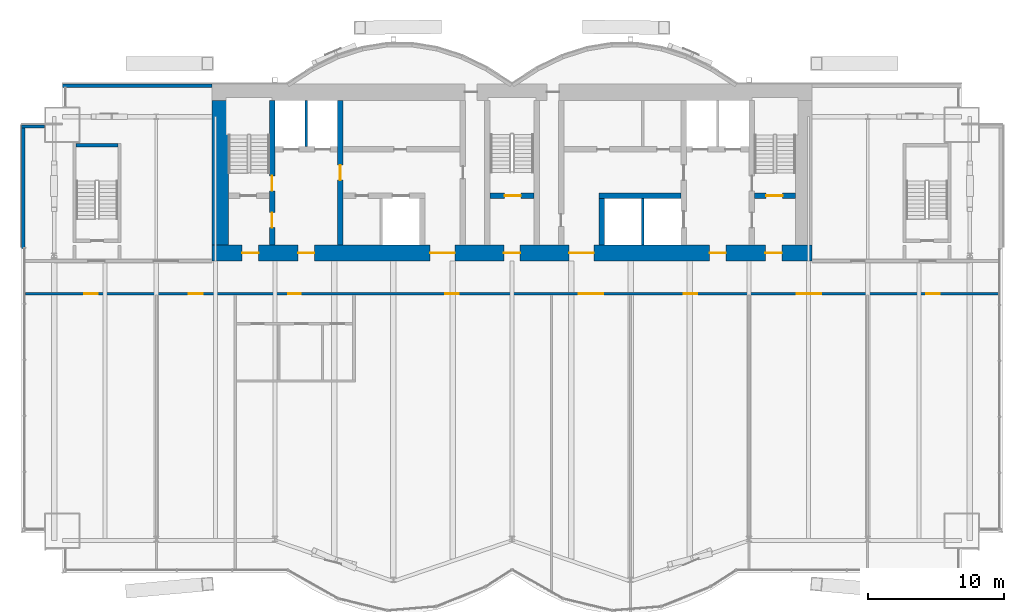
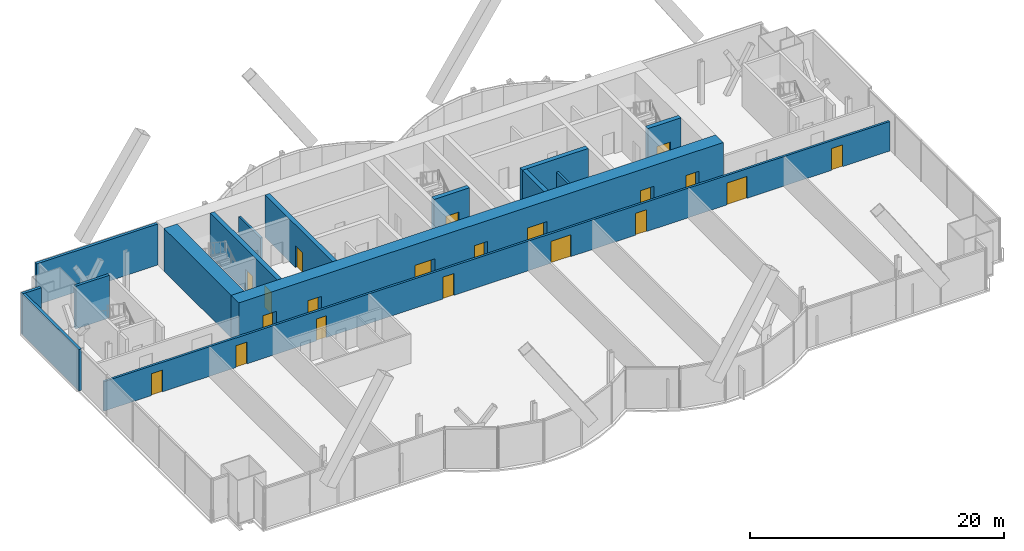
# One storey, part 17 of 22: 20 doors, 15 walls, 20 openings.
"""IFC4 building model written with IfcOpenShell, lengths in metres."""

from ifc_helpers import new_model, si_unit, direction, frame, frame_2d, origin, place, context, subcontext, project, spatial, rectangle, extrude, material, layer, layer_set, layer_usage, type_object, element, fill, save


model = new_model("IFC4")

# Units and contexts
model_context = context("Model", 3, precision=1e-05, world=origin(), true_north=direction((0.0, 1.0)))
body_context = subcontext(model_context, "Body", "Model", "MODEL_VIEW")
ifc_project = project(units=[si_unit("LENGTHUNIT", "METRE"), si_unit("AREAUNIT", "SQUARE_METRE"), si_unit("VOLUMEUNIT", "CUBIC_METRE"), si_unit("PLANEANGLEUNIT", "RADIAN"), si_unit("MASSUNIT", "GRAM", prefix="KILO")], contexts=[model_context])

# Site, building, storey
site_placement = place(None, origin())
site = spatial("IfcSite", under=ifc_project, at=site_placement, CompositionType="ELEMENT")
building_placement = place(site_placement, origin())
building = spatial("IfcBuilding", under=site, at=building_placement, Name="Bicima Exchange Tower", CompositionType="ELEMENT")
storey_placement = place(building_placement, frame((0.0, 0.0, 144.5)))
storey = spatial("IfcBuildingStorey", under=building, at=storey_placement, Name="L31", CompositionType="ELEMENT", Elevation=144.5)

# Walls
ifc_material_1 = material(Name="Gypsum board partition")
ifc_layer_1 = layer(ifc_material_1, 0.199951171875)
ifc_layer_set_1 = layer_set([ifc_layer_1], Name="Gypsum board partition")
wall_type_1 = type_object("IfcWallType", Name="Fire-rated gypsum partition 200 EI120", PredefinedType="PARTITIONING", material=ifc_layer_set_1)
for number, where, z_axis, x_axis, name in (
    (1, (-15.10009765625, -4.60009765625, 0.0), (0.0, 0.0, 1.0), (0.0, 1.0, 0.0), "partition wall 9"),
    (2, (9.60009765625, -11.800048828125, 0.0), (0.0, 0.0, 1.0), (0.0, 1.0, 0.0), "partition wall 18"),
):
    element("IfcWall", number, at=place(storey_placement, frame(where, z_axis=z_axis, x_axis=x_axis)), inside=storey, type_object=wall_type_1, Name=name, PredefinedType="PARTITIONING", context=body_context, shape_type="SweptSolid", body=[
        extrude(rectangle(XDim=3.400146484375, YDim=0.199951171875, at=frame_2d((1.7001953125, 0.0))), origin(), (0.0, 0.0, 1.0), 2.84033203125),
    ])

# Wall, openings, doors
ifc_layer_2 = layer(ifc_material_1, 0.199951171875)
ifc_layer_set_2 = layer_set([ifc_layer_2], Name="Gypsum board partition")
wall_type_2 = type_object("IfcWallType", Name="Fire-rated gypsum partition 200 EI60", PredefinedType="PARTITIONING", material=ifc_layer_set_2)
wall_1_placement = place(storey_placement, frame((-35.679931640625, -15.39990234375, 0.0), z_axis=(0.0, 0.0, 1.0), x_axis=(1.0, 0.0, 0.0)))
wall_1 = element("IfcWall", 3, at=wall_1_placement, inside=storey, type_object=wall_type_2, Name="partition wall 3", PredefinedType="PARTITIONING", context=body_context, shape_type="SweptSolid", body=[
    extrude(rectangle(XDim=71.35986328125, YDim=0.199951171875, at=frame_2d((35.679931640625, 0.0))), origin(), (0.0, 0.0, 1.0), 2.84033203125),
])
opening_1_placement = place(wall_1_placement, frame((4.300048828125, 0.0, 0.0)))
opening_1 = element("IfcOpeningElement", 4, at=opening_1_placement, cuts=wall_1, Name="Opening L31-007", PredefinedType="OPENING", context=body_context, shape_type="SweptSolid", body=[
    extrude(rectangle(XDim=1.0, YDim=2.10009765625, at=frame_2d((0.5, 1.050048828125))), frame((0.0, 0.11181640625, 0.0), z_axis=(0.0, -1.0, 0.0), x_axis=(1.0, 0.0, 0.0)), (0.0, 0.0, 1.0), 0.223876953125),
])
opening_2_placement = place(wall_1_placement, frame((11.97998046875, 0.0, 0.0)))
opening_2 = element("IfcOpeningElement", 5, at=opening_2_placement, cuts=wall_1, Name="Opening L31-008", PredefinedType="OPENING", context=body_context, shape_type="SweptSolid", body=[
    extrude(rectangle(XDim=1.0, YDim=2.10009765625, at=frame_2d((0.5, 1.050048828125))), frame((0.0, 0.11181640625, 0.0), z_axis=(0.0, -1.0, 0.0), x_axis=(1.0, 0.0, 0.0)), (0.0, 0.0, 1.0), 0.223876953125),
])
opening_3_placement = place(wall_1_placement, frame((19.280029296875, 0.0, 0.0)))
opening_3 = element("IfcOpeningElement", 6, at=opening_3_placement, cuts=wall_1, Name="Opening L31-009", PredefinedType="OPENING", context=body_context, shape_type="SweptSolid", body=[
    extrude(rectangle(XDim=0.89990234375, YDim=2.10009765625, at=frame_2d((0.449951171875, 1.050048828125))), frame((0.0, 0.11181640625, 0.0), z_axis=(0.0, -1.0, 0.0), x_axis=(1.0, 0.0, 0.0)), (0.0, 0.0, 1.0), 0.223876953125),
])
opening_4_placement = place(wall_1_placement, frame((30.780029296875, 0.0, 0.0)))
opening_4 = element("IfcOpeningElement", 7, at=opening_4_placement, cuts=wall_1, Name="Opening L31-013", PredefinedType="OPENING", context=body_context, shape_type="SweptSolid", body=[
    extrude(rectangle(XDim=1.0, YDim=2.10009765625, at=frame_2d((0.5, 1.050048828125))), frame((0.0, 0.11181640625, 0.0), z_axis=(0.0, -1.0, 0.0), x_axis=(1.0, 0.0, 0.0)), (0.0, 0.0, 1.0), 0.223876953125),
])
opening_5_placement = place(wall_1_placement, frame((40.580078125, 0.0, 0.0)))
opening_5 = element("IfcOpeningElement", 8, at=opening_5_placement, cuts=wall_1, Name="Opening L31-014", PredefinedType="OPENING", context=body_context, shape_type="SweptSolid", body=[
    extrude(rectangle(XDim=1.800048828125, YDim=2.10009765625, at=frame_2d((0.89990234375, 1.050048828125))), frame((0.0, 0.11181640625, 0.0), z_axis=(0.0, -1.0, 0.0), x_axis=(1.0, 0.0, 0.0)), (0.0, 0.0, 1.0), 0.223876953125),
])
opening_6_placement = place(wall_1_placement, frame((48.280029296875, 0.0, 0.0)))
opening_6 = element("IfcOpeningElement", 9, at=opening_6_placement, cuts=wall_1, Name="Opening L31-015", PredefinedType="OPENING", context=body_context, shape_type="SweptSolid", body=[
    extrude(rectangle(XDim=1.0, YDim=2.10009765625, at=frame_2d((0.5, 1.050048828125))), frame((0.0, 0.11181640625, 0.0), z_axis=(0.0, -1.0, 0.0), x_axis=(1.0, 0.0, 0.0)), (0.0, 0.0, 1.0), 0.223876953125),
])
opening_7_placement = place(wall_1_placement, frame((56.580078125, 0.0, 0.0)))
opening_7 = element("IfcOpeningElement", 10, at=opening_7_placement, cuts=wall_1, Name="Opening L31-016", PredefinedType="OPENING", context=body_context, shape_type="SweptSolid", body=[
    extrude(rectangle(XDim=1.800048828125, YDim=2.10009765625, at=frame_2d((0.89990234375, 1.050048828125))), frame((0.0, 0.11181640625, 0.0), z_axis=(0.0, -1.0, 0.0), x_axis=(1.0, 0.0, 0.0)), (0.0, 0.0, 1.0), 0.223876953125),
])
opening_8_placement = place(wall_1_placement, frame((66.080078125, 0.0, 0.0)))
opening_8 = element("IfcOpeningElement", 11, at=opening_8_placement, cuts=wall_1, Name="Opening L31-017", PredefinedType="OPENING", context=body_context, shape_type="SweptSolid", body=[
    extrude(rectangle(XDim=1.0, YDim=2.10009765625, at=frame_2d((0.5, 1.050048828125))), frame((0.0, 0.11181640625, 0.0), z_axis=(0.0, -1.0, 0.0), x_axis=(1.0, 0.0, 0.0)), (0.0, 0.0, 1.0), 0.223876953125),
])
ifc_material_2 = material(Name="Steel fire door leaf", Category="steel")
door_type_1 = type_object("IfcDoorType", Name="Door 1000 swing FD30S", OperationType="SINGLE_SWING_LEFT", PredefinedType="DOOR", material=ifc_material_2)
door_1_placement = place(opening_1_placement, frame((1.0, 0.0, 0.0), z_axis=(0.0, 0.0, 1.0), x_axis=(-1.0, 0.0, 0.0)))
door_1 = element("IfcDoor", 12, at=door_1_placement, inside=storey, type_object=door_type_1, Name="Door", OperationType="SINGLE_SWING_LEFT", OverallHeight=2.10009765625, OverallWidth=1.0, PredefinedType="DOOR", context=body_context, shape_type="SweptSolid", body=[
    extrude(rectangle(XDim=1.0, YDim=2.10009765625, at=frame_2d((0.5, 1.050048828125))), frame((0.0, 0.02490234375, 0.0), z_axis=(0.0, -1.0, 0.0), x_axis=(1.0, 0.0, 0.0)), (0.0, 0.0, 1.0), 0.050048828125),
])
fill(opening_1, door_1)
door_2_placement = place(opening_2_placement, frame((1.0, 0.0, 0.0), z_axis=(0.0, 0.0, 1.0), x_axis=(-1.0, 0.0, 0.0)))
door_2 = element("IfcDoor", 13, at=door_2_placement, inside=storey, type_object=door_type_1, Name="Door", OperationType="SINGLE_SWING_RIGHT", OverallHeight=2.10009765625, OverallWidth=1.0, PredefinedType="DOOR", context=body_context, shape_type="SweptSolid", body=[
    extrude(rectangle(XDim=1.0, YDim=2.10009765625, at=frame_2d((0.5, 1.050048828125))), frame((0.0, 0.02490234375, 0.0), z_axis=(0.0, -1.0, 0.0), x_axis=(1.0, 0.0, 0.0)), (0.0, 0.0, 1.0), 0.050048828125),
])
fill(opening_2, door_2)
door_3_placement = place(opening_4_placement, frame((1.0, 0.0, 0.0), z_axis=(0.0, 0.0, 1.0), x_axis=(-1.0, 0.0, 0.0)))
door_3 = element("IfcDoor", 14, at=door_3_placement, inside=storey, type_object=door_type_1, Name="Door", OperationType="SINGLE_SWING_LEFT", OverallHeight=2.10009765625, OverallWidth=1.0, PredefinedType="DOOR", context=body_context, shape_type="SweptSolid", body=[
    extrude(rectangle(XDim=1.0, YDim=2.10009765625, at=frame_2d((0.5, 1.050048828125))), frame((0.0, 0.02490234375, 0.0), z_axis=(0.0, -1.0, 0.0), x_axis=(1.0, 0.0, 0.0)), (0.0, 0.0, 1.0), 0.050048828125),
])
fill(opening_4, door_3)
door_4_placement = place(opening_6_placement, frame((1.0, 0.0, 0.0), z_axis=(0.0, 0.0, 1.0), x_axis=(-1.0, 0.0, 0.0)))
door_4 = element("IfcDoor", 15, at=door_4_placement, inside=storey, type_object=door_type_1, Name="Door", OperationType="SINGLE_SWING_RIGHT", OverallHeight=2.10009765625, OverallWidth=1.0, PredefinedType="DOOR", context=body_context, shape_type="SweptSolid", body=[
    extrude(rectangle(XDim=1.0, YDim=2.10009765625, at=frame_2d((0.5, 1.050048828125))), frame((0.0, 0.02490234375, 0.0), z_axis=(0.0, -1.0, 0.0), x_axis=(1.0, 0.0, 0.0)), (0.0, 0.0, 1.0), 0.050048828125),
])
fill(opening_6, door_4)
door_5_placement = place(opening_8_placement, frame((1.0, 0.0, 0.0), z_axis=(0.0, 0.0, 1.0), x_axis=(-1.0, 0.0, 0.0)))
door_5 = element("IfcDoor", 16, at=door_5_placement, inside=storey, type_object=door_type_1, Name="Door", OperationType="SINGLE_SWING_RIGHT", OverallHeight=2.10009765625, OverallWidth=1.0, PredefinedType="DOOR", context=body_context, shape_type="SweptSolid", body=[
    extrude(rectangle(XDim=1.0, YDim=2.10009765625, at=frame_2d((0.5, 1.050048828125))), frame((0.0, 0.02490234375, 0.0), z_axis=(0.0, -1.0, 0.0), x_axis=(1.0, 0.0, 0.0)), (0.0, 0.0, 1.0), 0.050048828125),
])
fill(opening_8, door_5)
door_type_2 = type_object("IfcDoorType", Name="Door 1800 double swing FD30S", OperationType="DOUBLE_DOOR_SINGLE_SWING", PredefinedType="DOOR", material=ifc_material_2)
door_6_placement = place(opening_5_placement, origin())
door_6 = element("IfcDoor", 17, at=door_6_placement, inside=storey, type_object=door_type_2, Name="Door", OperationType="SINGLE_SWING_LEFT", OverallHeight=2.10009765625, OverallWidth=1.800048828125, PredefinedType="DOOR", context=body_context, shape_type="SweptSolid", body=[
    extrude(rectangle(XDim=1.800048828125, YDim=2.10009765625, at=frame_2d((0.89990234375, 1.050048828125))), frame((0.0, 0.02490234375, 0.0), z_axis=(0.0, -1.0, 0.0), x_axis=(1.0, 0.0, 0.0)), (0.0, 0.0, 1.0), 0.050048828125),
])
fill(opening_5, door_6)
door_7_placement = place(opening_7_placement, origin())
door_7 = element("IfcDoor", 18, at=door_7_placement, inside=storey, type_object=door_type_2, Name="Door", OperationType="SINGLE_SWING_LEFT", OverallHeight=2.10009765625, OverallWidth=1.800048828125, PredefinedType="DOOR", context=body_context, shape_type="SweptSolid", body=[
    extrude(rectangle(XDim=1.800048828125, YDim=2.10009765625, at=frame_2d((0.89990234375, 1.050048828125))), frame((0.0, 0.02490234375, 0.0), z_axis=(0.0, -1.0, 0.0), x_axis=(1.0, 0.0, 0.0)), (0.0, 0.0, 1.0), 0.050048828125),
])
fill(opening_7, door_7)
door_type_3 = type_object("IfcDoorType", Name="Door 900 swing FD30S", OperationType="SINGLE_SWING_LEFT", PredefinedType="DOOR", material=ifc_material_2)
door_8_placement = place(opening_3_placement, frame((0.89990234375, 0.0, 0.0), z_axis=(0.0, 0.0, 1.0), x_axis=(-1.0, 0.0, 0.0)))
door_8 = element("IfcDoor", 19, at=door_8_placement, inside=storey, type_object=door_type_3, Name="Door", OperationType="SINGLE_SWING_RIGHT", OverallHeight=2.10009765625, OverallWidth=0.89990234375, PredefinedType="DOOR", context=body_context, shape_type="SweptSolid", body=[
    extrude(rectangle(XDim=0.89990234375, YDim=2.10009765625, at=frame_2d((0.449951171875, 1.050048828125))), frame((0.0, 0.02490234375, 0.0), z_axis=(0.0, -1.0, 0.0), x_axis=(1.0, 0.0, 0.0)), (0.0, 0.0, 1.0), 0.050048828125),
])
fill(opening_3, door_8)

ifc_material_3 = material(Name="Concrete C50/60", Category="concrete")
ifc_layer_3 = layer(ifc_material_3, 1.199951171875)
ifc_layer_set_3 = layer_set([ifc_layer_3], Name="Concrete C50/60")
wall_type_3 = type_object("IfcWallType", Name="RC core wall 1200 C50/60", PredefinedType="SHEAR", material=ifc_layer_set_3)
wall_2_placement = place(storey_placement, frame((-22.0, -12.39990234375, 0.0), z_axis=(0.0, 0.0, 1.0), x_axis=(1.0, 0.0, 0.0)))
wall_2 = element("IfcWall", 20, at=wall_2_placement, inside=storey, type_object=wall_type_3, Name="Core wall south", PredefinedType="SHEAR", context=body_context, shape_type="SweptSolid", body=[
    extrude(rectangle(XDim=44.0, YDim=1.199951171875, at=frame_2d((22.0, 0.0))), origin(), (0.0, 0.0, 1.0), 4.10009765625),
])
opening_9_placement = place(wall_2_placement, frame((2.199951171875, 0.0, 0.0)))
opening_9 = element("IfcOpeningElement", 21, at=opening_9_placement, cuts=wall_2, Name="Opening L31-C18", PredefinedType="OPENING", context=body_context, shape_type="SweptSolid", body=[
    extrude(rectangle(XDim=1.199951171875, YDim=2.10009765625, at=frame_2d((0.60009765625, 1.050048828125))), frame((0.0, 0.61181640625, 0.0), z_axis=(0.0, -1.0, 0.0), x_axis=(1.0, 0.0, 0.0)), (0.0, 0.0, 1.0), 1.223876953125),
])
opening_10_placement = place(wall_2_placement, frame((21.39990234375, 0.0, 0.0)))
opening_10 = element("IfcOpeningElement", 22, at=opening_10_placement, cuts=wall_2, Name="Opening L31-C19", PredefinedType="OPENING", context=body_context, shape_type="SweptSolid", body=[
    extrude(rectangle(XDim=1.199951171875, YDim=2.10009765625, at=frame_2d((0.60009765625, 1.050048828125))), frame((0.0, 0.61181640625, 0.0), z_axis=(0.0, -1.0, 0.0), x_axis=(1.0, 0.0, 0.0)), (0.0, 0.0, 1.0), 1.223876953125),
])
opening_11_placement = place(wall_2_placement, frame((40.60009765625, 0.0, 0.0)))
opening_11 = element("IfcOpeningElement", 23, at=opening_11_placement, cuts=wall_2, Name="Opening L31-C20", PredefinedType="OPENING", context=body_context, shape_type="SweptSolid", body=[
    extrude(rectangle(XDim=1.199951171875, YDim=2.10009765625, at=frame_2d((0.60009765625, 1.050048828125))), frame((0.0, 0.61181640625, 0.0), z_axis=(0.0, -1.0, 0.0), x_axis=(1.0, 0.0, 0.0)), (0.0, 0.0, 1.0), 1.223876953125),
])
opening_12_placement = place(wall_2_placement, frame((16.0, 0.0, 0.0)))
opening_12 = element("IfcOpeningElement", 24, at=opening_12_placement, cuts=wall_2, Name="Opening L31-C21", PredefinedType="OPENING", context=body_context, shape_type="SweptSolid", body=[
    extrude(rectangle(XDim=1.800048828125, YDim=2.10009765625, at=frame_2d((0.89990234375, 1.050048828125))), frame((0.0, 0.61181640625, 0.0), z_axis=(0.0, -1.0, 0.0), x_axis=(1.0, 0.0, 0.0)), (0.0, 0.0, 1.0), 1.223876953125),
])
opening_13_placement = place(wall_2_placement, frame((6.300048828125, 0.0, 0.0)))
opening_13 = element("IfcOpeningElement", 25, at=opening_13_placement, cuts=wall_2, Name="Opening L31-C22", PredefinedType="OPENING", context=body_context, shape_type="SweptSolid", body=[
    extrude(rectangle(XDim=1.199951171875, YDim=2.10009765625, at=frame_2d((0.60009765625, 1.050048828125))), frame((0.0, 0.61181640625, 0.0), z_axis=(0.0, -1.0, 0.0), x_axis=(1.0, 0.0, 0.0)), (0.0, 0.0, 1.0), 1.223876953125),
])
opening_14_placement = place(wall_2_placement, frame((26.199951171875, 0.0, 0.0)))
opening_14 = element("IfcOpeningElement", 26, at=opening_14_placement, cuts=wall_2, Name="Opening L31-C23", PredefinedType="OPENING", context=body_context, shape_type="SweptSolid", body=[
    extrude(rectangle(XDim=1.800048828125, YDim=2.10009765625, at=frame_2d((0.89990234375, 1.050048828125))), frame((0.0, 0.61181640625, 0.0), z_axis=(0.0, -1.0, 0.0), x_axis=(1.0, 0.0, 0.0)), (0.0, 0.0, 1.0), 1.223876953125),
])
opening_15_placement = place(wall_2_placement, frame((36.5, 0.0, 0.0)))
opening_15 = element("IfcOpeningElement", 27, at=opening_15_placement, cuts=wall_2, Name="Opening L31-C24", PredefinedType="OPENING", context=body_context, shape_type="SweptSolid", body=[
    extrude(rectangle(XDim=1.199951171875, YDim=2.10009765625, at=frame_2d((0.60009765625, 1.050048828125))), frame((0.0, 0.61181640625, 0.0), z_axis=(0.0, -1.0, 0.0), x_axis=(1.0, 0.0, 0.0)), (0.0, 0.0, 1.0), 1.223876953125),
])
door_type_4 = type_object("IfcDoorType", Name="Door 1200 swing FD60S", OperationType="SINGLE_SWING_LEFT", PredefinedType="DOOR", material=ifc_material_2)
door_9_placement = place(opening_9_placement, frame((1.199951171875, 0.0, 0.0), z_axis=(0.0, 0.0, 1.0), x_axis=(-1.0, 0.0, 0.0)))
door_9 = element("IfcDoor", 28, at=door_9_placement, inside=storey, type_object=door_type_4, Name="Core door", OperationType="SINGLE_SWING_RIGHT", OverallHeight=2.10009765625, OverallWidth=1.199951171875, PredefinedType="DOOR", context=body_context, shape_type="SweptSolid", body=[
    extrude(rectangle(XDim=1.199951171875, YDim=2.10009765625, at=frame_2d((0.60009765625, 1.050048828125))), frame((0.0, 0.02490234375, 0.0), z_axis=(0.0, -1.0, 0.0), x_axis=(1.0, 0.0, 0.0)), (0.0, 0.0, 1.0), 0.050048828125),
])
fill(opening_9, door_9)
door_10_placement = place(opening_10_placement, frame((1.199951171875, 0.0, 0.0), z_axis=(0.0, 0.0, 1.0), x_axis=(-1.0, 0.0, 0.0)))
door_10 = element("IfcDoor", 29, at=door_10_placement, inside=storey, type_object=door_type_4, Name="Core door", OperationType="SINGLE_SWING_RIGHT", OverallHeight=2.10009765625, OverallWidth=1.199951171875, PredefinedType="DOOR", context=body_context, shape_type="SweptSolid", body=[
    extrude(rectangle(XDim=1.199951171875, YDim=2.10009765625, at=frame_2d((0.60009765625, 1.050048828125))), frame((0.0, 0.02490234375, 0.0), z_axis=(0.0, -1.0, 0.0), x_axis=(1.0, 0.0, 0.0)), (0.0, 0.0, 1.0), 0.050048828125),
])
fill(opening_10, door_10)
door_11_placement = place(opening_11_placement, frame((1.199951171875, 0.0, 0.0), z_axis=(0.0, 0.0, 1.0), x_axis=(-1.0, 0.0, 0.0)))
door_11 = element("IfcDoor", 30, at=door_11_placement, inside=storey, type_object=door_type_4, Name="Core door", OperationType="SINGLE_SWING_RIGHT", OverallHeight=2.10009765625, OverallWidth=1.199951171875, PredefinedType="DOOR", context=body_context, shape_type="SweptSolid", body=[
    extrude(rectangle(XDim=1.199951171875, YDim=2.10009765625, at=frame_2d((0.60009765625, 1.050048828125))), frame((0.0, 0.02490234375, 0.0), z_axis=(0.0, -1.0, 0.0), x_axis=(1.0, 0.0, 0.0)), (0.0, 0.0, 1.0), 0.050048828125),
])
fill(opening_11, door_11)
door_12_placement = place(opening_13_placement, frame((1.199951171875, 0.0, 0.0), z_axis=(0.0, 0.0, 1.0), x_axis=(-1.0, 0.0, 0.0)))
door_12 = element("IfcDoor", 31, at=door_12_placement, inside=storey, type_object=door_type_4, Name="Core door", OperationType="SINGLE_SWING_RIGHT", OverallHeight=2.10009765625, OverallWidth=1.199951171875, PredefinedType="DOOR", context=body_context, shape_type="SweptSolid", body=[
    extrude(rectangle(XDim=1.199951171875, YDim=2.10009765625, at=frame_2d((0.60009765625, 1.050048828125))), frame((0.0, 0.02490234375, 0.0), z_axis=(0.0, -1.0, 0.0), x_axis=(1.0, 0.0, 0.0)), (0.0, 0.0, 1.0), 0.050048828125),
])
fill(opening_13, door_12)
door_13_placement = place(opening_15_placement, frame((1.199951171875, 0.0, 0.0), z_axis=(0.0, 0.0, 1.0), x_axis=(-1.0, 0.0, 0.0)))
door_13 = element("IfcDoor", 32, at=door_13_placement, inside=storey, type_object=door_type_4, Name="Core door", OperationType="SINGLE_SWING_RIGHT", OverallHeight=2.10009765625, OverallWidth=1.199951171875, PredefinedType="DOOR", context=body_context, shape_type="SweptSolid", body=[
    extrude(rectangle(XDim=1.199951171875, YDim=2.10009765625, at=frame_2d((0.60009765625, 1.050048828125))), frame((0.0, 0.02490234375, 0.0), z_axis=(0.0, -1.0, 0.0), x_axis=(1.0, 0.0, 0.0)), (0.0, 0.0, 1.0), 0.050048828125),
])
fill(opening_15, door_13)
door_14_placement = place(opening_12_placement, origin())
door_14 = element("IfcDoor", 33, at=door_14_placement, inside=storey, type_object=door_type_2, Name="Core door", OperationType="SINGLE_SWING_LEFT", OverallHeight=2.10009765625, OverallWidth=1.800048828125, PredefinedType="DOOR", context=body_context, shape_type="SweptSolid", body=[
    extrude(rectangle(XDim=1.800048828125, YDim=2.10009765625, at=frame_2d((0.89990234375, 1.050048828125))), frame((0.0, 0.02490234375, 0.0), z_axis=(0.0, -1.0, 0.0), x_axis=(1.0, 0.0, 0.0)), (0.0, 0.0, 1.0), 0.050048828125),
])
fill(opening_12, door_14)
door_15_placement = place(opening_14_placement, origin())
door_15 = element("IfcDoor", 34, at=door_15_placement, inside=storey, type_object=door_type_2, Name="Core door", OperationType="SINGLE_SWING_LEFT", OverallHeight=2.10009765625, OverallWidth=1.800048828125, PredefinedType="DOOR", context=body_context, shape_type="SweptSolid", body=[
    extrude(rectangle(XDim=1.800048828125, YDim=2.10009765625, at=frame_2d((0.89990234375, 1.050048828125))), frame((0.0, 0.02490234375, 0.0), z_axis=(0.0, -1.0, 0.0), x_axis=(1.0, 0.0, 0.0)), (0.0, 0.0, 1.0), 0.050048828125),
])
fill(opening_14, door_15)

# Wall
wall_3_placement = place(storey_placement, frame((-21.39990234375, -11.800048828125, 0.0), z_axis=(0.0, 0.0, 1.0), x_axis=(0.0, 1.0, 0.0)))
element("IfcWall", 35, at=wall_3_placement, inside=storey, type_object=wall_type_3, Name="Core wall west", PredefinedType="SHEAR", context=body_context, shape_type="SweptSolid", body=[
    extrude(rectangle(XDim=10.60009765625, YDim=1.199951171875, at=frame_2d((5.300048828125, 0.0))), origin(), (0.0, 0.0, 1.0), 4.10009765625),
])

# Wall, opening, door
ifc_layer_4 = layer(ifc_material_3, 0.39990234375)
ifc_layer_set_4 = layer_set([ifc_layer_4], Name="Concrete C50/60")
wall_type_4 = type_object("IfcWallType", Name="RC core wall 400 C50/60", PredefinedType="SHEAR", material=ifc_layer_set_4)
wall_4_placement = place(storey_placement, frame((-1.60009765625, -8.199951171875, 0.0), z_axis=(0.0, 0.0, 1.0), x_axis=(1.0, 0.0, 0.0)))
wall_4 = element("IfcWall", 36, at=wall_4_placement, inside=storey, type_object=wall_type_4, Name="stair wall 3", PredefinedType="SHEAR", context=body_context, shape_type="SweptSolid", body=[
    extrude(rectangle(XDim=3.2001953125, YDim=0.39990234375, at=frame_2d((1.60009765625, 0.0))), origin(), (0.0, 0.0, 1.0), 4.10009765625),
])
opening_16_placement = place(wall_4_placement, frame((1.050048828125, 0.0, 0.0)))
opening_16 = element("IfcOpeningElement", 37, at=opening_16_placement, cuts=wall_4, Name="Opening L31-C03", PredefinedType="OPENING", context=body_context, shape_type="SweptSolid", body=[
    extrude(rectangle(XDim=1.199951171875, YDim=2.10009765625, at=frame_2d((0.60009765625, 1.050048828125))), frame((0.0, 0.2119140625, 0.0), z_axis=(0.0, -1.0, 0.0), x_axis=(1.0, 0.0, 0.0)), (0.0, 0.0, 1.0), 0.423828125),
])
door_16_placement = place(opening_16_placement, origin())
door_16 = element("IfcDoor", 38, at=door_16_placement, inside=storey, type_object=door_type_4, Name="Core door", OperationType="SINGLE_SWING_LEFT", OverallHeight=2.10009765625, OverallWidth=1.199951171875, PredefinedType="DOOR", context=body_context, shape_type="SweptSolid", body=[
    extrude(rectangle(XDim=1.199951171875, YDim=2.10009765625, at=frame_2d((0.60009765625, 1.050048828125))), frame((0.0, 0.02490234375, 0.0), z_axis=(0.0, -1.0, 0.0), x_axis=(1.0, 0.0, 0.0)), (0.0, 0.0, 1.0), 0.050048828125),
])
fill(opening_16, door_16)

# Wall
wall_5_placement = place(storey_placement, frame((6.39990234375, -8.199951171875, 0.0), z_axis=(0.0, 0.0, 1.0), x_axis=(1.0, 0.0, 0.0)))
element("IfcWall", 39, at=wall_5_placement, inside=storey, type_object=wall_type_4, Name="shear wall 4", PredefinedType="SHEAR", context=body_context, shape_type="SweptSolid", body=[
    extrude(rectangle(XDim=6.0, YDim=0.39990234375, at=frame_2d((3.0, 0.0))), origin(), (0.0, 0.0, 1.0), 4.10009765625),
])

# Wall, opening, door
wall_6_placement = place(storey_placement, frame((17.800048828125, -8.199951171875, 0.0), z_axis=(0.0, 0.0, 1.0), x_axis=(1.0, 0.0, 0.0)))
wall_6 = element("IfcWall", 40, at=wall_6_placement, inside=storey, type_object=wall_type_4, Name="stair wall 5", PredefinedType="SHEAR", context=body_context, shape_type="SweptSolid", body=[
    extrude(rectangle(XDim=3.0, YDim=0.39990234375, at=frame_2d((1.5, 0.0))), origin(), (0.0, 0.0, 1.0), 4.10009765625),
])
opening_17_placement = place(wall_6_placement, frame((0.85009765625, 0.0, 0.0)))
opening_17 = element("IfcOpeningElement", 41, at=opening_17_placement, cuts=wall_6, Name="Opening L31-C04", PredefinedType="OPENING", context=body_context, shape_type="SweptSolid", body=[
    extrude(rectangle(XDim=1.199951171875, YDim=2.10009765625, at=frame_2d((0.60009765625, 1.050048828125))), frame((0.0, 0.2119140625, 0.0), z_axis=(0.0, -1.0, 0.0), x_axis=(1.0, 0.0, 0.0)), (0.0, 0.0, 1.0), 0.423828125),
])
door_17_placement = place(opening_17_placement, origin())
door_17 = element("IfcDoor", 42, at=door_17_placement, inside=storey, type_object=door_type_4, Name="Core door", OperationType="SINGLE_SWING_RIGHT", OverallHeight=2.10009765625, OverallWidth=1.199951171875, PredefinedType="DOOR", context=body_context, shape_type="SweptSolid", body=[
    extrude(rectangle(XDim=1.199951171875, YDim=2.10009765625, at=frame_2d((0.60009765625, 1.050048828125))), frame((0.0, 0.02490234375, 0.0), z_axis=(0.0, -1.0, 0.0), x_axis=(1.0, 0.0, 0.0)), (0.0, 0.0, 1.0), 0.050048828125),
])
fill(opening_17, door_17)

# Wall, openings, doors
wall_7_placement = place(storey_placement, frame((-17.60009765625, -11.800048828125, 0.0), z_axis=(0.0, 0.0, 1.0), x_axis=(0.0, 1.0, 0.0)))
wall_7 = element("IfcWall", 43, at=wall_7_placement, inside=storey, type_object=wall_type_4, Name="stair wall 8", PredefinedType="SHEAR", context=body_context, shape_type="SweptSolid", body=[
    extrude(rectangle(XDim=10.60009765625, YDim=0.39990234375, at=frame_2d((5.300048828125, 0.0))), origin(), (0.0, 0.0, 1.0), 4.10009765625),
])
opening_18_placement = place(wall_7_placement, frame((1.25, 0.0, 0.0)))
opening_18 = element("IfcOpeningElement", 44, at=opening_18_placement, cuts=wall_7, Name="Opening L31-C02", PredefinedType="OPENING", context=body_context, shape_type="SweptSolid", body=[
    extrude(rectangle(XDim=1.10009765625, YDim=2.10009765625, at=frame_2d((0.550048828125, 1.050048828125))), frame((0.0, 0.2119140625, 0.0), z_axis=(0.0, -1.0, 0.0), x_axis=(1.0, 0.0, 0.0)), (0.0, 0.0, 1.0), 0.423828125),
])
opening_19_placement = place(wall_7_placement, frame((3.949951171875, 0.0, 0.0)))
opening_19 = element("IfcOpeningElement", 45, at=opening_19_placement, cuts=wall_7, Name="Opening L31-C06", PredefinedType="OPENING", context=body_context, shape_type="SweptSolid", body=[
    extrude(rectangle(XDim=1.10009765625, YDim=2.10009765625, at=frame_2d((0.550048828125, 1.050048828125))), frame((0.0, 0.2119140625, 0.0), z_axis=(0.0, -1.0, 0.0), x_axis=(1.0, 0.0, 0.0)), (0.0, 0.0, 1.0), 0.423828125),
])
door_type_5 = type_object("IfcDoorType", Name="Door 1100 swing FD60S", OperationType="SINGLE_SWING_LEFT", PredefinedType="DOOR", material=ifc_material_2)
door_18_placement = place(opening_18_placement, frame((1.10009765625, 0.0, 0.0), z_axis=(0.0, 0.0, 1.0), x_axis=(-1.0, 0.0, 0.0)))
door_18 = element("IfcDoor", 46, at=door_18_placement, inside=storey, type_object=door_type_5, Name="Core door", OperationType="SINGLE_SWING_LEFT", OverallHeight=2.10009765625, OverallWidth=1.10009765625, PredefinedType="DOOR", context=body_context, shape_type="SweptSolid", body=[
    extrude(rectangle(XDim=1.10009765625, YDim=2.10009765625, at=frame_2d((0.550048828125, 1.050048828125))), frame((0.0, 0.02490234375, 0.0), z_axis=(0.0, -1.0, 0.0), x_axis=(1.0, 0.0, 0.0)), (0.0, 0.0, 1.0), 0.050048828125),
])
fill(opening_18, door_18)
door_19_placement = place(opening_19_placement, frame((1.10009765625, 0.0, 0.0), z_axis=(0.0, 0.0, 1.0), x_axis=(-1.0, 0.0, 0.0)))
door_19 = element("IfcDoor", 47, at=door_19_placement, inside=storey, type_object=door_type_5, Name="Core door", OperationType="SINGLE_SWING_LEFT", OverallHeight=2.10009765625, OverallWidth=1.10009765625, PredefinedType="DOOR", context=body_context, shape_type="SweptSolid", body=[
    extrude(rectangle(XDim=1.10009765625, YDim=2.10009765625, at=frame_2d((0.550048828125, 1.050048828125))), frame((0.0, 0.02490234375, 0.0), z_axis=(0.0, -1.0, 0.0), x_axis=(1.0, 0.0, 0.0)), (0.0, 0.0, 1.0), 0.050048828125),
])
fill(opening_19, door_19)

# Wall, opening, door
wall_8_placement = place(storey_placement, frame((-12.60009765625, -11.800048828125, 0.0), z_axis=(0.0, 0.0, 1.0), x_axis=(0.0, 1.0, 0.0)))
wall_8 = element("IfcWall", 48, at=wall_8_placement, inside=storey, type_object=wall_type_4, Name="shear wall 10", PredefinedType="SHEAR", context=body_context, shape_type="SweptSolid", body=[
    extrude(rectangle(XDim=10.60009765625, YDim=0.39990234375, at=frame_2d((5.300048828125, 0.0))), origin(), (0.0, 0.0, 1.0), 4.10009765625),
])
opening_20_placement = place(wall_8_placement, frame((4.75, 0.0, 0.0)))
opening_20 = element("IfcOpeningElement", 49, at=opening_20_placement, cuts=wall_8, Name="Opening L31-C07", PredefinedType="OPENING", context=body_context, shape_type="SweptSolid", body=[
    extrude(rectangle(XDim=1.10009765625, YDim=2.10009765625, at=frame_2d((0.550048828125, 1.050048828125))), frame((0.0, 0.2119140625, 0.0), z_axis=(0.0, -1.0, 0.0), x_axis=(1.0, 0.0, 0.0)), (0.0, 0.0, 1.0), 0.423828125),
])
door_20_placement = place(opening_20_placement, origin())
door_20 = element("IfcDoor", 50, at=door_20_placement, inside=storey, type_object=door_type_5, Name="Core door", OperationType="SINGLE_SWING_LEFT", OverallHeight=2.10009765625, OverallWidth=1.10009765625, PredefinedType="DOOR", context=body_context, shape_type="SweptSolid", body=[
    extrude(rectangle(XDim=1.10009765625, YDim=2.10009765625, at=frame_2d((0.550048828125, 1.050048828125))), frame((0.0, 0.02490234375, 0.0), z_axis=(0.0, -1.0, 0.0), x_axis=(1.0, 0.0, 0.0)), (0.0, 0.0, 1.0), 0.050048828125),
])
fill(opening_20, door_20)

# Walls
wall_9_placement = place(storey_placement, frame((6.60009765625, -11.800048828125, 0.0), z_axis=(0.0, 0.0, 1.0), x_axis=(0.0, 1.0, 0.0)))
element("IfcWall", 51, at=wall_9_placement, inside=storey, type_object=wall_type_4, Name="shear wall 17", PredefinedType="SHEAR", context=body_context, shape_type="SweptSolid", body=[
    extrude(rectangle(XDim=3.400146484375, YDim=0.39990234375, at=frame_2d((1.7001953125, 0.0))), origin(), (0.0, 0.0, 1.0), 4.10009765625),
])
ifc_layer_5 = layer(ifc_material_3, 0.25)
ifc_layer_set_5 = layer_set([ifc_layer_5], Name="Concrete C50/60")
wall_type_5 = type_object("IfcWallType", Name="RC stair enclosure wall 250 C50/60", PredefinedType="SHEAR", material=ifc_layer_set_5)
wall_10_placement = place(storey_placement, frame((-31.97509765625, -4.5, 0.0), z_axis=(0.0, 0.0, 1.0), x_axis=(1.0, 0.0, 0.0)))
element("IfcWall", 52, at=wall_10_placement, inside=storey, type_object=wall_type_5, Name="West end exit stair wall N", PredefinedType="SHEAR", context=body_context, shape_type="SweptSolid", body=[
    extrude(rectangle(XDim=3.050048828125, YDim=0.25, at=frame_2d((1.52490234375, 0.0))), origin(), (0.0, 0.0, 1.0), 4.10009765625),
])
ifc_material_4 = material(Name="Concrete C40/50", Category="concrete")
ifc_layer_6 = layer(ifc_material_4, 0.25)
ifc_layer_set_6 = layer_set([ifc_layer_6], Name="Concrete C40/50")
ifc_layer_usage = layer_usage(ifc_layer_set_6, "AXIS2", "POSITIVE", -0.125)
wall_type_6 = type_object("IfcWallType", Name="Rear backup wall 250", PredefinedType="STANDARD", material=ifc_layer_set_6)
wall_11_placement = place(storey_placement, frame((-22.0, -0.125, 0.0), z_axis=(0.0, 0.0, 1.0), x_axis=(-1.0, 0.0, 0.0)))
element("IfcWall", 53, at=wall_11_placement, inside=storey, type_object=wall_type_6, material=ifc_layer_usage, Name="Rear backup wall L31 20", PredefinedType="STANDARD", context=body_context, shape_type="SweptSolid", body=[
    extrude(rectangle(XDim=11.0, YDim=0.25, at=frame_2d((5.5, 0.0))), origin(), (0.0, 0.0, 1.0), 3.949951171875),
])
wall_12_placement = place(storey_placement, frame((-34.300048828125, -3.125, 0.0), z_axis=(0.0, 0.0, 1.0), x_axis=(-1.0, 0.0, 0.0)))
element("IfcWall", 54, at=wall_12_placement, inside=storey, type_object=wall_type_6, material=ifc_layer_usage, Name="Rear backup wall L31 22", PredefinedType="STANDARD", context=body_context, shape_type="SweptSolid", body=[
    extrude(rectangle(XDim=1.699951171875, YDim=0.25, at=frame_2d((0.85009765625, 0.0))), origin(), (0.0, 0.0, 1.0), 3.949951171875),
])
wall_13_placement = place(storey_placement, frame((-35.875, -3.0, 0.0), z_axis=(0.0, 0.0, 1.0), x_axis=(0.0, -1.0, 0.0)))
element("IfcWall", 55, at=wall_13_placement, inside=storey, type_object=wall_type_6, material=ifc_layer_usage, Name="Rear backup wall L31 23", PredefinedType="STANDARD", context=body_context, shape_type="SweptSolid", body=[
    extrude(rectangle(XDim=9.090087890625, YDim=0.25, at=frame_2d((4.544921875, 0.0))), origin(), (0.0, 0.0, 1.0), 3.949951171875),
])

save(model, "model.ifc")
